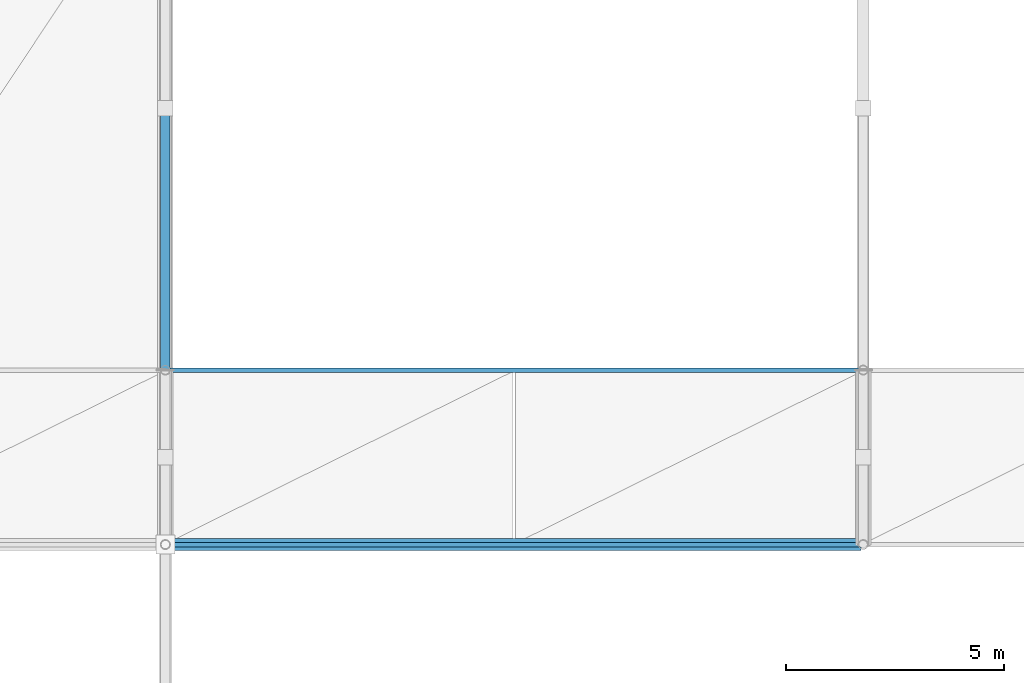
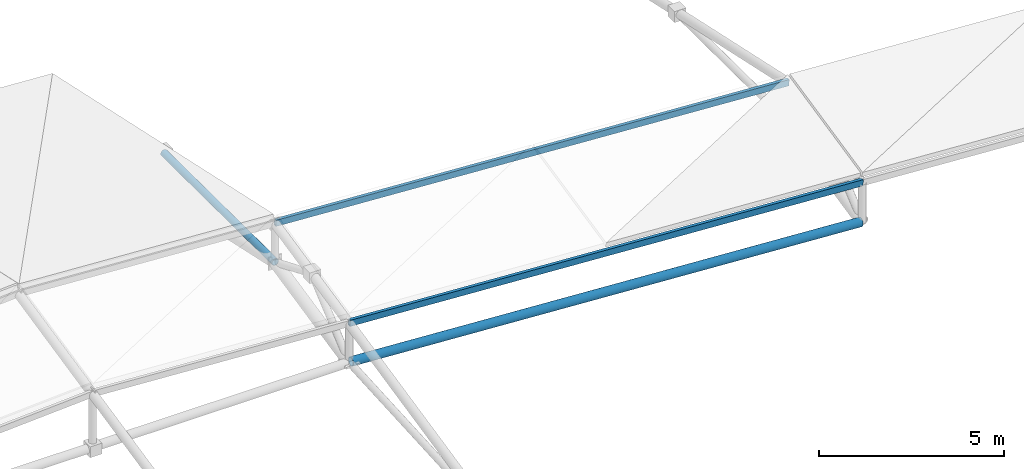
# One storey, part 11 of 27: 3 members, 1 beam.
"""IFC4 building model written with IfcOpenShell, lengths in metres."""

from ifc_helpers import new_model, si_unit, direction, frame, origin, origin_2d, place, context, subcontext, project, spatial, hollow_rectangle, hollow_circle, extrude, material, material_profile, profile_set, type_object, element, save


model = new_model("IFC4")

# Units and contexts
model_context = context("Model", 3, precision=1e-05, world=origin(), true_north=direction((0.0, 1.0)))
body_context = subcontext(model_context, "Body", "Model", "MODEL_VIEW")
ifc_project = project(units=[si_unit("LENGTHUNIT", "METRE"), si_unit("AREAUNIT", "SQUARE_METRE"), si_unit("VOLUMEUNIT", "CUBIC_METRE"), si_unit("PLANEANGLEUNIT", "RADIAN"), si_unit("MASSUNIT", "GRAM", prefix="KILO")], contexts=[model_context])

# Site, building, storey
site_placement = place(None, origin())
site = spatial("IfcSite", under=ifc_project, at=site_placement, CompositionType="ELEMENT")
building_placement = place(site_placement, origin())
building = spatial("IfcBuilding", under=site, at=building_placement, Name="Drelvath Fold Interchange", CompositionType="ELEMENT")
storey_placement = place(building_placement, frame((0.0, 0.0, 19.800048828125)))
storey = spatial("IfcBuildingStorey", under=building, at=storey_placement, Name="L04", CompositionType="ELEMENT", Elevation=19.800048828125)

# Members
ifc_material = material(Name="Steel ASTM A500 Grade C", Category="steel")
ifc_material_profile_1 = material_profile(ifc_material, hollow_rectangle(XDim=0.10205078125, YDim=0.202880859375, WallThickness=0.00732421875, at=origin_2d()), Name="HSS8X4X5/16")
ifc_profile_set_1 = profile_set([ifc_material_profile_1], Name="Steel ASTM A500 Grade C")
member_type_1 = type_object("IfcMemberType", Name="PR-HSS203", PredefinedType="PURLIN", material=ifc_profile_set_1)
for number, where, z_axis, x_axis, name in (
    (1, (118.0, 43.0, 1.72705078125), (0.998196786761, 0.0, -0.06002645167), (0.0, 1.0, 0.0), "L04 Space frame canopy purlin PR-HSS203"),
    (2, (118.0, 47.0, 2.598876953125), (0.998197699277, 0.0, -0.060011275256), (0.0, 1.0, 0.0), "L04 Space frame canopy purlin PR-HSS203"),
):
    element("IfcMember", number, at=place(storey_placement, frame(where, z_axis=z_axis, x_axis=x_axis)), inside=storey, type_object=member_type_1, Name=name, PredefinedType="PURLIN", context=body_context, shape_type="SweptSolid", body=[
        extrude(hollow_rectangle(XDim=0.10205078125, YDim=0.202880859375, WallThickness=0.00732421875, at=origin_2d()), origin(), (0.0, 0.0, 1.0), 16.02880859375),
    ])

# Beam
ifc_material_profile_2 = material_profile(ifc_material, hollow_circle(Radius=0.136474609375, WallThickness=0.01171875, at=origin_2d()), Name="HSS10.750X0.500")
ifc_profile_set_2 = profile_set([ifc_material_profile_2], Name="Steel ASTM A500 Grade C")
beam_type = type_object("IfcBeamType", Name="SF-TIE273", PredefinedType="BEAM", material=ifc_profile_set_2)
beam_placement = place(storey_placement, frame((118.050048828125, 43.0, 0.425048828125), z_axis=(0.998174073419, 0.0, -0.060402973058), x_axis=(0.0, 1.0, 0.0)))
element("IfcBeam", 3, at=beam_placement, inside=storey, type_object=beam_type, Name="Space frame roof truss longitudinal tie EAST", PredefinedType="BEAM", context=body_context, shape_type="SweptSolid", body=[
    extrude(hollow_circle(Radius=0.136474609375, WallThickness=0.01171875, at=origin_2d()), origin(), (0.0, 0.0, 1.0), 15.928955078125),
])

# Member
ifc_material_profile_3 = material_profile(ifc_material, hollow_circle(Radius=0.109619140625, WallThickness=0.0087890625, at=origin_2d()), Name="HSS8.625X0.375")
ifc_profile_set_3 = profile_set([ifc_material_profile_3], Name="Steel ASTM A500 Grade C")
member_type_2 = type_object("IfcMemberType", Name="SF-WEB219", PredefinedType="BRACE", material=ifc_profile_set_3)
member_placement = place(storey_placement, frame((118.0, 47.0, 1.296875), z_axis=(0.0, 0.999980111682, -0.006306840711), x_axis=(-1.0, 0.0, 0.0)))
element("IfcMember", 4, at=member_placement, inside=storey, type_object=member_type_2, Name="L04 Space frame roof truss web brace SF-WEB219", PredefinedType="BRACE", context=body_context, shape_type="SweptSolid", body=[
    extrude(hollow_circle(Radius=0.109619140625, WallThickness=0.0087890625, at=origin_2d()), origin(), (0.0, 0.0, 1.0), 6.0),
])

save(model, "model.ifc")
